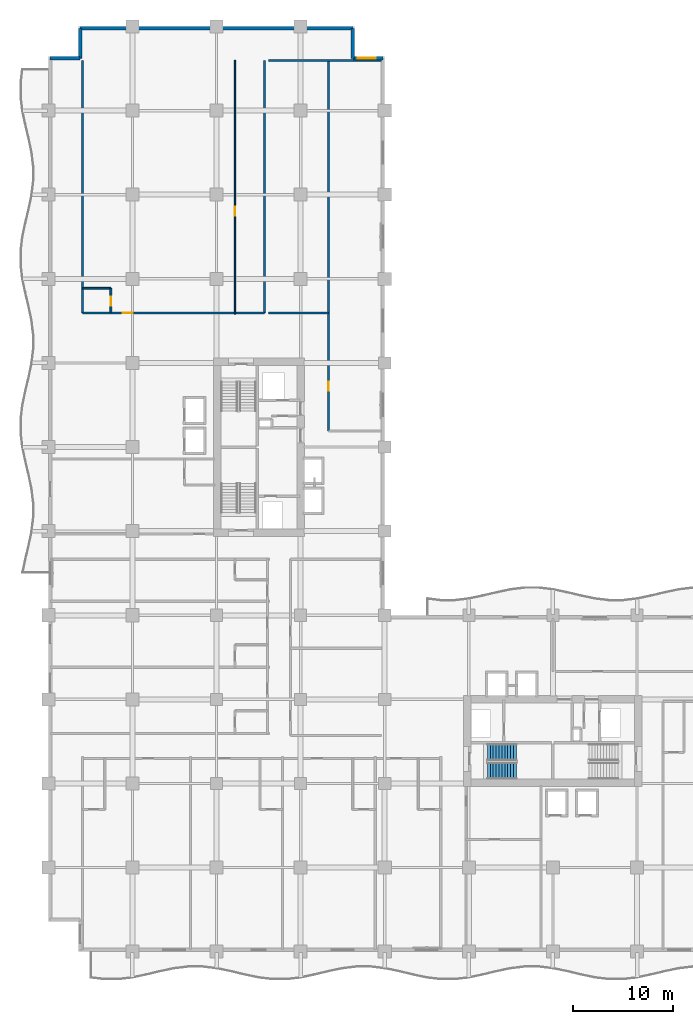
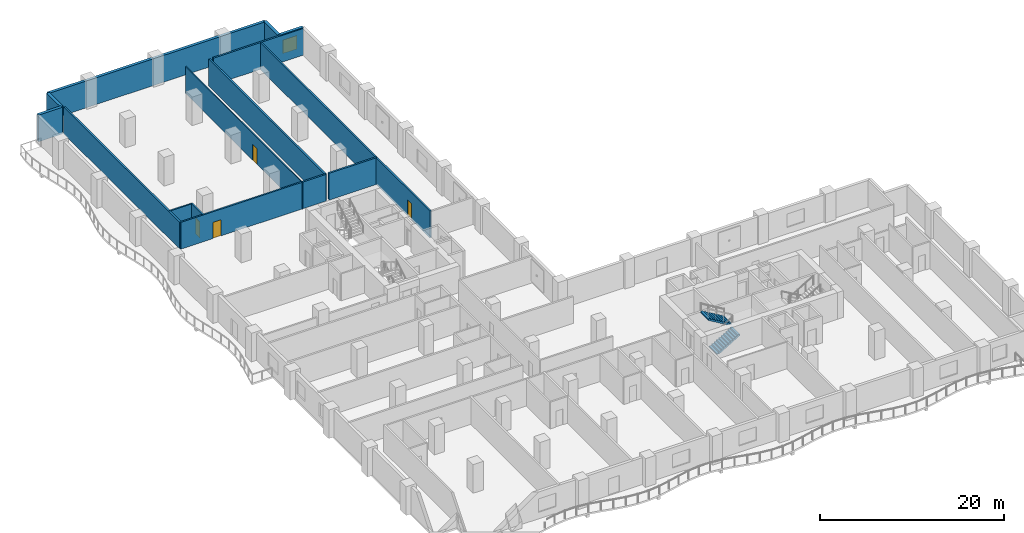
# One storey, part 11 of 18: 14 walls, 4 doors, 2 stair flights, 1 window, 5 openings, 1 element without a shape of its own.
"""IFC4 building model written with IfcOpenShell, lengths in metres."""

from ifc_helpers import new_model, si_unit, direction, frame, frame_2d, origin, place, context, subcontext, project, spatial, polyline, rectangle, outline, extrude, material, layer, layer_set, type_object, element, fill, aggregate, save


model = new_model("IFC4")

# Units and contexts
model_context = context("Model", 3, precision=1e-05, world=origin(), true_north=direction((0.0, 1.0)))
body_context = subcontext(model_context, "Body", "Model", "MODEL_VIEW")
ifc_project = project(units=[si_unit("LENGTHUNIT", "METRE"), si_unit("AREAUNIT", "SQUARE_METRE"), si_unit("VOLUMEUNIT", "CUBIC_METRE"), si_unit("PLANEANGLEUNIT", "RADIAN"), si_unit("MASSUNIT", "GRAM", prefix="KILO")], contexts=[model_context])

# Site, building, storey
site_placement = place(None, origin())
site = spatial("IfcSite", under=ifc_project, at=site_placement, CompositionType="ELEMENT")
building_placement = place(site_placement, origin())
building = spatial("IfcBuilding", under=site, at=building_placement, Name="Koriwani Terraces Tower", CompositionType="ELEMENT")
storey_placement = place(building_placement, frame((0.0, 0.0, 115.199951171875)))
storey = spatial("IfcBuildingStorey", under=building, at=storey_placement, Name="L27", CompositionType="ELEMENT", Elevation=115.199951171875)

# Wall, opening, door
ifc_material_1 = material(Name="Autoclaved Cellular Concrete Blockwork", Category="masonry")
ifc_layer_1 = layer(ifc_material_1, 0.199951171875, Name="Autoclaved Cellular Concrete Blockwork")
ifc_layer_set_1 = layer_set([ifc_layer_1], Name="Autoclaved Cellular Concrete Blockwork")
wall_type_1 = type_object("IfcWallType", Name="WALL_CORRIDOR_200", PredefinedType="PARTITIONING", material=ifc_layer_set_1)
wall_1_placement = place(storey_placement, frame((3.39990234375, 63.800048828125, 0.0), z_axis=(0.0, 0.0, 1.0), x_axis=(1.0, 0.0, 0.0)))
wall_1 = element("IfcWall", 1, at=wall_1_placement, inside=storey, type_object=wall_type_1, Name="L27 Interior Wall WGB-L27-NWTIP-S", PredefinedType="PARTITIONING", context=body_context, shape_type="SweptSolid", body=[
    extrude(rectangle(XDim=18.2001953125, YDim=0.199951171875, at=frame_2d((9.10009765625, 0.0))), origin(), (0.0, 0.0, 1.0), 3.550048828125),
])
opening_1_placement = place(wall_1_placement, frame((4.050048828125, 0.0, 0.0)))
opening_1 = element("IfcOpeningElement", 2, at=opening_1_placement, cuts=wall_1, Name="Opening D-05", PredefinedType="OPENING", context=body_context, shape_type="SweptSolid", body=[
    extrude(rectangle(XDim=1.0, YDim=2.14990234375, at=frame_2d((0.5, 1.074951171875))), frame((0.0, 0.10986328125, 0.0), z_axis=(0.0, -1.0, 0.0), x_axis=(1.0, 0.0, 0.0)), (0.0, 0.0, 1.0), 0.219970703125),
])
ifc_material_2 = material(Name="Architectural Oak Fire Door", Category="wood")
door_type_1 = type_object("IfcDoorType", Name="DOOR_SUITE_ENTRY_1000X2150", OperationType="NOTDEFINED", PredefinedType="DOOR", material=ifc_material_2)
door_1_placement = place(opening_1_placement, origin())
door_1 = element("IfcDoor", 3, at=door_1_placement, inside=storey, type_object=door_type_1, Name="Presidential Suite 27NT Entrance Door", OperationType="SINGLE_SWING_LEFT", OverallHeight=2.14990234375, OverallWidth=1.0, PredefinedType="DOOR", context=body_context, shape_type="SweptSolid", body=[
    extrude(rectangle(XDim=1.0, YDim=2.14990234375, at=frame_2d((0.5, 1.074951171875))), frame((0.0, 0.02490234375, 0.0), z_axis=(0.0, -1.0, 0.0), x_axis=(1.0, 0.0, 0.0)), (0.0, 0.0, 1.0), 0.050048828125),
])
fill(opening_1, door_1)

wall_2_placement = place(storey_placement, frame((28.0, 52.0, 0.0), z_axis=(0.0, 0.0, 1.0), x_axis=(0.0, 1.0, 0.0)))
wall_2 = element("IfcWall", 4, at=wall_2_placement, inside=storey, type_object=wall_type_1, Name="L27 Interior Wall WNWT2-W-L27", PredefinedType="PARTITIONING", context=body_context, shape_type="SweptSolid", body=[
    extrude(rectangle(XDim=37.0, YDim=0.199951171875, at=frame_2d((18.5, 0.0))), origin(), (0.0, 0.0, 1.0), 3.550048828125),
])
opening_2_placement = place(wall_2_placement, frame((4.0, 0.0, 0.0)))
opening_2 = element("IfcOpeningElement", 5, at=opening_2_placement, cuts=wall_2, Name="Opening D-06", PredefinedType="OPENING", context=body_context, shape_type="SweptSolid", body=[
    extrude(rectangle(XDim=0.919921875, YDim=2.10009765625, at=frame_2d((0.4599609375, 1.050048828125))), frame((0.0, 0.10986328125, 0.0), z_axis=(0.0, -1.0, 0.0), x_axis=(1.0, 0.0, 0.0)), (0.0, 0.0, 1.0), 0.219970703125),
])
door_type_2 = type_object("IfcDoorType", Name="DOOR_ROOM_INT_920X2100", OperationType="NOTDEFINED", PredefinedType="DOOR", material=ifc_material_2)
door_2_placement = place(opening_2_placement, origin())
door_2 = element("IfcDoor", 6, at=door_2_placement, inside=storey, type_object=door_type_2, Name="L27 North Court Lounge Door", OperationType="SINGLE_SWING_RIGHT", OverallHeight=2.10009765625, OverallWidth=0.919921875, PredefinedType="DOOR", context=body_context, shape_type="SweptSolid", body=[
    extrude(rectangle(XDim=0.919921875, YDim=2.10009765625, at=frame_2d((0.4599609375, 1.050048828125))), frame((0.0, 0.02490234375, 0.0), z_axis=(0.0, -1.0, 0.0), x_axis=(1.0, 0.0, 0.0)), (0.0, 0.0, 1.0), 0.050048828125),
])
fill(opening_2, door_2)

# Walls
ifc_layer_2 = layer(ifc_material_1, 0.219970703125, Name="Autoclaved Cellular Concrete Blockwork")
ifc_layer_set_2 = layer_set([ifc_layer_2], Name="Autoclaved Cellular Concrete Blockwork")
wall_type_2 = type_object("IfcWallType", Name="WALL_DEMISING_220", PredefinedType="PARTITIONING", material=ifc_layer_set_2)
for number, where, z_axis, x_axis, name in (
    (7, (21.60009765625, 63.800048828125, 0.0), (0.0, 0.0, 1.0), (0.0, 1.0, 0.0), "L27 Interior Wall WGB-L27-NWTIP-E"),
    (8, (3.39990234375, 63.800048828125, 0.0), (0.0, 0.0, 1.0), (0.0, 1.0, 0.0), "L27 Interior Wall WGB-L27-NWTIP-W"),
):
    element("IfcWall", number, at=place(storey_placement, frame(where, z_axis=z_axis, x_axis=x_axis)), inside=storey, type_object=wall_type_2, Name=name, PredefinedType="PARTITIONING", context=body_context, shape_type="SweptSolid", body=[
        extrude(rectangle(XDim=25.199951171875, YDim=0.219970703125, at=frame_2d((12.60009765625, 0.0))), origin(), (0.0, 0.0, 1.0), 3.550048828125),
    ])
wall_3_placement = place(storey_placement, frame((22.0, 89.0, 0.0), z_axis=(0.0, 0.0, 1.0), x_axis=(1.0, 0.0, 0.0)))
element("IfcWall", 9, at=wall_3_placement, inside=storey, type_object=wall_type_2, Name="L27 Interior Wall WNWT2-N-L27", PredefinedType="PARTITIONING", context=body_context, shape_type="SweptSolid", body=[
    extrude(rectangle(XDim=11.300048828125, YDim=0.219970703125, at=frame_2d((5.64990234375, 0.0))), origin(), (0.0, 0.0, 1.0), 3.550048828125),
])
wall_4_placement = place(storey_placement, frame((22.0, 63.800048828125, 0.0), z_axis=(0.0, 0.0, 1.0), x_axis=(1.0, 0.0, 0.0)))
element("IfcWall", 10, at=wall_4_placement, inside=storey, type_object=wall_type_2, Name="L27 Interior Wall WNWT2-WS-L27", PredefinedType="PARTITIONING", context=body_context, shape_type="SweptSolid", body=[
    extrude(rectangle(XDim=6.0, YDim=0.219970703125, at=frame_2d((3.0, 0.0))), origin(), (0.0, 0.0, 1.0), 3.550048828125),
])
ifc_material_3 = material(Name="Concrete C50/60", Category="concrete")
ifc_layer_3 = layer(ifc_material_3, 0.35009765625, Name="Concrete C50/60")
ifc_layer_set_3 = layer_set([ifc_layer_3], Name="Concrete C50/60")
wall_type_3 = type_object("IfcWallType", Name="WALL_EXT_BRUTALIST_350", PredefinedType="STANDARD", material=ifc_layer_set_3)
for number, where, z_axis, x_axis, name in (
    (11, (0.175048828125, 89.22509765625, 0.0), (0.0, 0.0, 1.0), (1.0, 0.0, 0.0), "L27 Fair-Faced Brutalist Exterior Wall (N3)"),
    (12, (3.175048828125, 89.22509765625, 0.0), (0.0, 0.0, 1.0), (0.0, 1.0, 0.0), "L27 Fair-Faced Brutalist Exterior Wall (N4)"),
):
    element("IfcWall", number, at=place(storey_placement, frame(where, z_axis=z_axis, x_axis=x_axis)), inside=storey, type_object=wall_type_3, Name=name, PredefinedType="STANDARD", context=body_context, shape_type="SweptSolid", body=[
        extrude(rectangle(XDim=3.0, YDim=0.35009765625, at=frame_2d((1.5, 0.0))), origin(), (0.0, 0.0, 1.0), 3.550048828125),
    ])
wall_5_placement = place(storey_placement, frame((3.175048828125, 92.22509765625, 0.0), z_axis=(0.0, 0.0, 1.0), x_axis=(1.0, 0.0, 0.0)))
element("IfcWall", 13, at=wall_5_placement, inside=storey, type_object=wall_type_3, Name="L27 Fair-Faced Brutalist Exterior Wall (N_TIP)", PredefinedType="STANDARD", context=body_context, shape_type="SweptSolid", body=[
    extrude(rectangle(XDim=27.25, YDim=0.35009765625, at=frame_2d((13.625, 0.0))), origin(), (0.0, 0.0, 1.0), 3.550048828125),
])
wall_6_placement = place(storey_placement, frame((30.425048828125, 92.22509765625, 0.0), z_axis=(0.0, 0.0, 1.0), x_axis=(0.0, -1.0, 0.0)))
element("IfcWall", 14, at=wall_6_placement, inside=storey, type_object=wall_type_3, Name="L27 Fair-Faced Brutalist Exterior Wall (N6)", PredefinedType="STANDARD", context=body_context, shape_type="SweptSolid", body=[
    extrude(rectangle(XDim=3.0, YDim=0.35009765625, at=frame_2d((1.5, 0.0))), origin(), (0.0, 0.0, 1.0), 3.550048828125),
])

# Wall, opening, window
wall_7_placement = place(storey_placement, frame((30.425048828125, 89.22509765625, 0.0), z_axis=(0.0, 0.0, 1.0), x_axis=(1.0, 0.0, 0.0)))
wall_7 = element("IfcWall", 15, at=wall_7_placement, inside=storey, type_object=wall_type_3, Name="L27 Fair-Faced Brutalist Exterior Wall (N7)", PredefinedType="STANDARD", context=body_context, shape_type="SweptSolid", body=[
    extrude(rectangle(XDim=3.0, YDim=0.35009765625, at=frame_2d((1.5, 0.0))), origin(), (0.0, 0.0, 1.0), 3.550048828125),
])
opening_3_placement = place(wall_7_placement, frame((0.487548828125, 0.0, 0.85009765625)))
opening_3 = element("IfcOpeningElement", 16, at=opening_3_placement, cuts=wall_7, Name="Opening W-04", PredefinedType="OPENING", context=body_context, shape_type="SweptSolid", body=[
    extrude(rectangle(XDim=1.800048828125, YDim=1.800048828125, at=frame_2d((0.89990234375, 0.89990234375))), frame((0.0, 0.18505859375, 0.0), z_axis=(0.0, -1.0, 0.0), x_axis=(1.0, 0.0, 0.0)), (0.0, 0.0, 1.0), 0.3701171875),
])
ifc_material_4 = material(Name="Tempered Laminated Low-E Glass", Category="glass")
window_type = type_object("IfcWindowType", Name="WIN_RES_BED_1800X1800", PartitioningType="DOUBLE_PANEL_VERTICAL", PredefinedType="WINDOW", material=ifc_material_4)
window_placement = place(opening_3_placement, origin())
window = element("IfcWindow", 17, at=window_placement, inside=storey, type_object=window_type, Name="L27 Exterior Window (N7-R48)", OverallHeight=1.800048828125, OverallWidth=1.800048828125, PartitioningType="SINGLE_PANEL", PredefinedType="WINDOW", context=body_context, shape_type="SweptSolid", body=[
    extrude(rectangle(XDim=1.800048828125, YDim=1.800048828125, at=frame_2d((0.89990234375, 0.89990234375))), frame((0.0, 0.030029296875, 0.0), z_axis=(0.0, -1.0, 0.0), x_axis=(1.0, 0.0, 0.0)), (0.0, 0.0, 1.0), 0.06005859375),
])
fill(opening_3, window)

# Wall, opening, door
ifc_material_5 = material(Name="Fire-Rated Acoustic Gypsum Partition", Category="masonry")
ifc_layer_4 = layer(ifc_material_5, 0.125, Name="Fire-Rated Acoustic Gypsum Partition")
ifc_layer_set_4 = layer_set([ifc_layer_4], Name="Fire-Rated Acoustic Gypsum Partition")
wall_type_4 = type_object("IfcWallType", Name="WALL_INT_125", PredefinedType="PARTITIONING", material=ifc_layer_set_4)
wall_8_placement = place(storey_placement, frame((18.64990234375, 63.64990234375, 0.0), z_axis=(0.0, 0.0, 1.0), x_axis=(0.0, 1.0, 0.0)))
wall_8 = element("IfcWall", 18, at=wall_8_placement, inside=storey, type_object=wall_type_4, Name="L27 Interior Wall WGB-L27-NWTIP-BD", PredefinedType="PARTITIONING", context=body_context, shape_type="SweptSolid", body=[
    extrude(rectangle(XDim=25.400146484375, YDim=0.125, at=frame_2d((12.7001953125, 0.0))), origin(), (0.0, 0.0, 1.0), 3.550048828125),
])
opening_4_placement = place(wall_8_placement, frame((9.840087890625, 0.0, 0.0)))
opening_4 = element("IfcOpeningElement", 19, at=opening_4_placement, cuts=wall_8, Name="Opening D-06", PredefinedType="OPENING", context=body_context, shape_type="SweptSolid", body=[
    extrude(rectangle(XDim=0.919921875, YDim=2.10009765625, at=frame_2d((0.4599609375, 1.050048828125))), frame((0.0, 0.072509765625, 0.0), z_axis=(0.0, -1.0, 0.0), x_axis=(1.0, 0.0, 0.0)), (0.0, 0.0, 1.0), 0.14501953125),
])
door_3_placement = place(opening_4_placement, origin())
door_3 = element("IfcDoor", 20, at=door_3_placement, inside=storey, type_object=door_type_2, Name="Presidential Suite 27NT Master Suite Door", OperationType="SINGLE_SWING_LEFT", OverallHeight=2.10009765625, OverallWidth=0.919921875, PredefinedType="DOOR", context=body_context, shape_type="SweptSolid", body=[
    extrude(rectangle(XDim=0.919921875, YDim=2.10009765625, at=frame_2d((0.4599609375, 1.050048828125))), frame((0.0, 0.02490234375, 0.0), z_axis=(0.0, -1.0, 0.0), x_axis=(1.0, 0.0, 0.0)), (0.0, 0.0, 1.0), 0.050048828125),
])
fill(opening_4, door_3)

ifc_layer_5 = layer(ifc_material_5, 0.179931640625, Name="Fire-Rated Acoustic Gypsum Partition")
ifc_layer_set_5 = layer_set([ifc_layer_5], Name="Fire-Rated Acoustic Gypsum Partition")
wall_type_5 = type_object("IfcWallType", Name="WALL_PLUMBING_180", PredefinedType="PLUMBINGWALL", material=ifc_layer_set_5)
wall_9_placement = place(storey_placement, frame((6.25, 63.85009765625, 0.0), z_axis=(0.0, 0.0, 1.0), x_axis=(0.0, 1.0, 0.0)))
wall_9 = element("IfcWall", 21, at=wall_9_placement, inside=storey, type_object=wall_type_5, Name="L27 Interior Wall WGB-L27-NWTIP-SVB", PredefinedType="PLUMBINGWALL", context=body_context, shape_type="SweptSolid", body=[
    extrude(rectangle(XDim=2.39990234375, YDim=0.179931640625, at=frame_2d((1.199951171875, 0.0))), origin(), (0.0, 0.0, 1.0), 3.550048828125),
])
opening_5_placement = place(wall_9_placement, frame((0.64990234375, 0.0, 0.0)))
opening_5 = element("IfcOpeningElement", 22, at=opening_5_placement, cuts=wall_9, Name="Opening D-07", PredefinedType="OPENING", context=body_context, shape_type="SweptSolid", body=[
    extrude(rectangle(XDim=0.89990234375, YDim=2.10009765625, at=frame_2d((0.449951171875, 1.050048828125))), frame((0.0, 0.10009765625, 0.0), z_axis=(0.0, -1.0, 0.0), x_axis=(1.0, 0.0, 0.0)), (0.0, 0.0, 1.0), 0.199951171875),
])
door_type_3 = type_object("IfcDoorType", Name="DOOR_BATH_INT_900X2100", OperationType="NOTDEFINED", PredefinedType="DOOR", material=ifc_material_2)
door_4_placement = place(opening_5_placement, origin())
door_4 = element("IfcDoor", 23, at=door_4_placement, inside=storey, type_object=door_type_3, Name="Presidential Suite 27NT Bathroom Door", OperationType="SINGLE_SWING_RIGHT", OverallHeight=2.10009765625, OverallWidth=0.89990234375, PredefinedType="DOOR", context=body_context, shape_type="SweptSolid", body=[
    extrude(rectangle(XDim=0.89990234375, YDim=2.10009765625, at=frame_2d((0.449951171875, 1.050048828125))), frame((0.0, 0.02490234375, 0.0), z_axis=(0.0, -1.0, 0.0), x_axis=(1.0, 0.0, 0.0)), (0.0, 0.0, 1.0), 0.050048828125),
])
fill(opening_5, door_4)

# Wall
wall_10_placement = place(storey_placement, frame((3.449951171875, 66.25, 0.0), z_axis=(0.0, 0.0, 1.0), x_axis=(1.0, 0.0, 0.0)))
element("IfcWall", 24, at=wall_10_placement, inside=storey, type_object=wall_type_5, Name="L27 Interior Wall WGB-L27-NWTIP-SV2", PredefinedType="PLUMBINGWALL", context=body_context, shape_type="SweptSolid", body=[
    extrude(rectangle(XDim=2.800048828125, YDim=0.179931640625, at=frame_2d((1.39990234375, 0.0))), origin(), (0.0, 0.0, 1.0), 3.550048828125),
])

# Stair, stair flights
ifc_material_6 = material(Name="Concrete C40/50", Category="concrete")
stair_type = type_object("IfcStairType", Name="STAIR_CORE_DOGLEG_1650", PredefinedType="TWO_STRAIGHT_RUN_STAIR", material=ifc_material_6)
stair_placement = place(storey_placement, origin())
stair = element("IfcStair", 25, at=stair_placement, inside=storey, type_object=stair_type, Name="L27 East Core Exit Stair 1", PredefinedType="HALF_TURN_STAIR")
stair_flight_type = type_object("IfcStairFlightType", Name="STAIR_FLIGHT_RC_1650", PredefinedType="STRAIGHT", material=ifc_material_6)
stair_flight_1_placement = place(storey_placement, frame((43.85009765625, 18.074951171875, 0.0), z_axis=(0.0, 0.0, 1.0), x_axis=(1.0, 0.0, 0.0)))
stair_flight_1 = element("IfcStairFlight", 26, at=stair_flight_1_placement, type_object=stair_flight_type, Name="ST-E1 flight 1", NumberOfRisers=11, NumberOfTreads=10, PredefinedType="STRAIGHT", RiserHeight=0.172727273, TreadLength=0.29, context=body_context, shape_type="SweptSolid", body=[
    extrude(outline(polyline([(0.0, 0.0), (0.0, 0.172607421875), (0.2900390625, 0.172607421875), (0.2900390625, 0.345458984375), (0.580078125, 0.345458984375), (0.580078125, 0.51806640625), (0.8701171875, 0.51806640625), (0.8701171875, 0.69091796875), (1.159912109375, 0.69091796875), (1.159912109375, 0.863525390625), (1.449951171875, 0.863525390625), (1.449951171875, 1.036376953125), (1.739990234375, 1.036376953125), (1.739990234375, 1.208984375), (2.030029296875, 1.208984375), (2.030029296875, 1.3818359375), (2.320068359375, 1.3818359375), (2.320068359375, 1.554443359375), (2.610107421875, 1.554443359375), (2.610107421875, 1.727294921875), (2.89990234375, 1.727294921875), (2.89990234375, 1.89990234375), (2.89990234375, 1.517822265625), (0.3515625, 0.0), (0.0, 0.0)])), frame((0.0, 0.824951171875, 0.0), z_axis=(0.0, -1.0, 0.0), x_axis=(1.0, 0.0, 0.0)), (0.0, 0.0, 1.0), 1.64990234375),
])
stair_flight_2_placement = place(storey_placement, frame((46.75, 19.925048828125, 1.900146484375), z_axis=(0.0, 0.0, 1.0), x_axis=(-1.0, 0.0, 0.0)))
stair_flight_2 = element("IfcStairFlight", 27, at=stair_flight_2_placement, type_object=stair_flight_type, Name="ST-E1 flight 2", NumberOfRisers=11, NumberOfTreads=10, PredefinedType="STRAIGHT", RiserHeight=0.172727273, TreadLength=0.29, context=body_context, shape_type="SweptSolid", body=[
    extrude(outline(polyline([(0.0, 0.0), (0.0, 0.172607421875), (0.2900390625, 0.172607421875), (0.2900390625, 0.345458984375), (0.580078125, 0.345458984375), (0.580078125, 0.51806640625), (0.8701171875, 0.51806640625), (0.8701171875, 0.69091796875), (1.159912109375, 0.69091796875), (1.159912109375, 0.863525390625), (1.449951171875, 0.863525390625), (1.449951171875, 1.036376953125), (1.739990234375, 1.036376953125), (1.739990234375, 1.208984375), (2.030029296875, 1.208984375), (2.030029296875, 1.3818359375), (2.320068359375, 1.3818359375), (2.320068359375, 1.554443359375), (2.610107421875, 1.554443359375), (2.610107421875, 1.727294921875), (2.89990234375, 1.727294921875), (2.89990234375, 1.89990234375), (2.89990234375, 1.517822265625), (0.3515625, 0.0), (0.0, 0.0)])), frame((0.0, 0.824951171875, 0.0), z_axis=(0.0, -1.0, 0.0), x_axis=(1.0, 0.0, 0.0)), (0.0, 0.0, 1.0), 1.64990234375),
])
aggregate(stair, [stair_flight_1, stair_flight_2])

save(model, "model.ifc")
